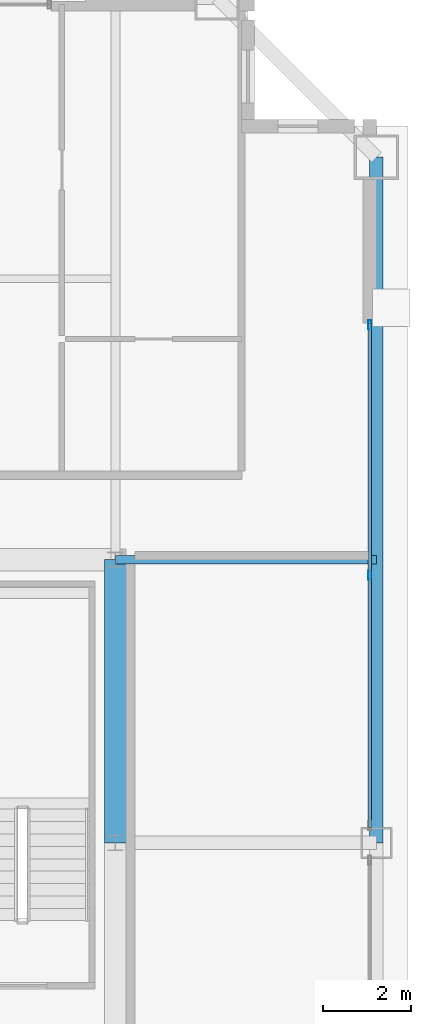
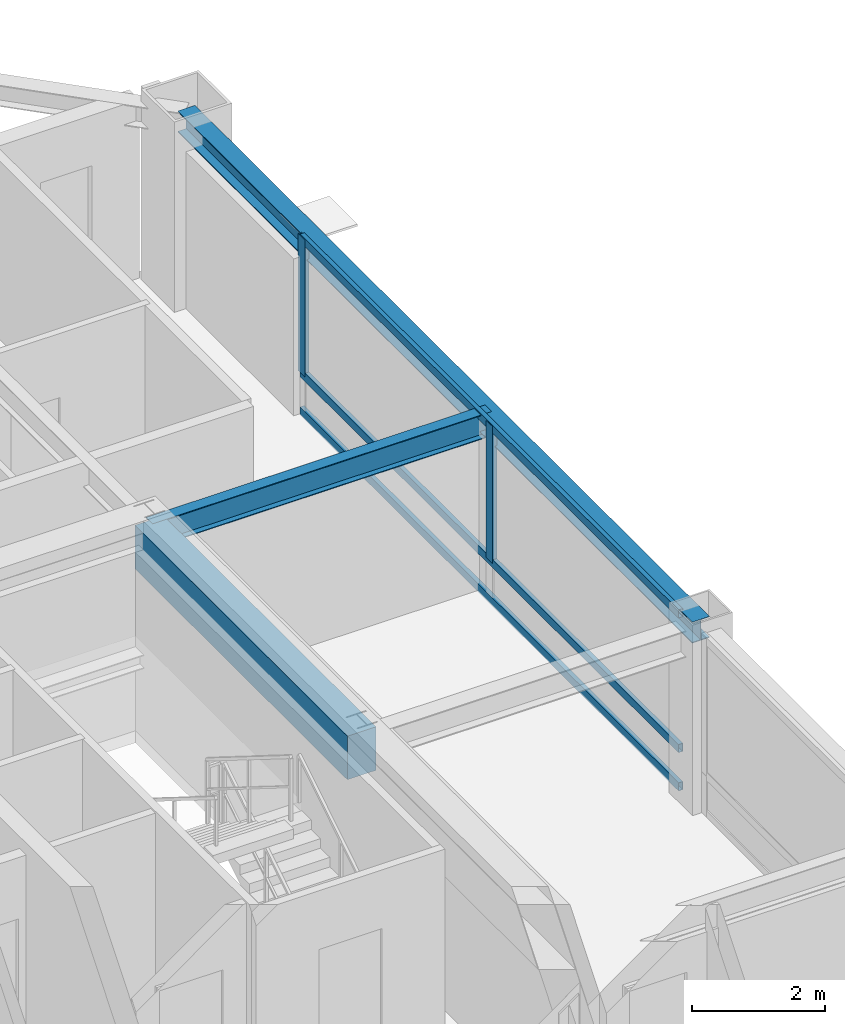
# One storey, part 15 of 35: 5 members, 3 beams, 1 element without a shape of its own.
"""IFC4 building model written with IfcOpenShell, lengths in metres."""

from ifc_helpers import new_model, si_unit, direction, frame, origin, origin_2d, place, context, subcontext, project, spatial, rectangle, hollow_rectangle, i_section, extrude, source, transform, mapped, material, layer, layer_set, material_profile, profile_set, type_object, element, aggregate, save


model = new_model("IFC4")

# Units and contexts
model_context = context("Model", 3, precision=1e-05, world=origin(), true_north=direction((0.0, 1.0)))
body_context = subcontext(model_context, "Body", "Model", "MODEL_VIEW")
ifc_project = project(units=[si_unit("LENGTHUNIT", "METRE"), si_unit("AREAUNIT", "SQUARE_METRE"), si_unit("VOLUMEUNIT", "CUBIC_METRE"), si_unit("PLANEANGLEUNIT", "RADIAN"), si_unit("MASSUNIT", "GRAM", prefix="KILO"), si_unit("THERMODYNAMICTEMPERATUREUNIT", "KELVIN"), si_unit("POWERUNIT", "WATT")], contexts=[model_context])

# Site, building, storey
site_placement = place(None, origin())
site = spatial("IfcSite", under=ifc_project, at=site_placement, CompositionType="ELEMENT")
building_placement = place(site_placement, origin())
building = spatial("IfcBuilding", under=site, at=building_placement, Name="Yuzanri Waterfront Tower", CompositionType="ELEMENT")
storey_placement = place(building_placement, frame((0.0, 0.0, 289.10009765625)))
storey = spatial("IfcBuildingStorey", under=building, at=storey_placement, Name="L77", CompositionType="ELEMENT", Elevation=289.10009765625)

# Beams
ifc_material_1 = material(Name="Concrete C50", Category="concrete")
ifc_material_profile_1 = material_profile(ifc_material_1, rectangle(XDim=0.5, YDim=0.800048828125, at=origin_2d()), Name="RC 500x800")
ifc_profile_set_1 = profile_set([ifc_material_profile_1], Name="Concrete C50")
beam_type_1 = type_object("IfcBeamType", Name="Core Coupling Lintel Concrete C50 500x800", PredefinedType="LINTEL", material=ifc_profile_set_1)
shared_shape_1 = source(origin(), body_context, "Body", "SweptSolid", [
    extrude(rectangle(XDim=0.5, YDim=0.800048828125, at=origin_2d()), origin(), (0.0, 0.0, 1.0), 6.39990234375),
])
beam_1_placement = place(storey_placement, frame((50.199951171875, 25.800048828125, 2.8798828125), z_axis=(0.0, 1.0, 0.0), x_axis=(-1.0, 0.0, 0.0)))
element("IfcBeam", 1, at=beam_1_placement, inside=storey, type_object=beam_type_1, Name="L77 Core Tie Beam CE2", PredefinedType="LINTEL", context=body_context, shape_type="MappedRepresentation", body=[
    mapped(shared_shape_1, transform((0.0, 0.0, 0.0), scale=1.0)),
])
ifc_material_2 = material(Name="Steel Q355B", Category="steel")
ifc_material_profile_2 = material_profile(ifc_material_2, i_section(OverallWidth=0.300048828125, OverallDepth=0.389892578125, WebThickness=0.010009765625, FlangeThickness=0.01611328125, at=origin_2d()), Name="HM 390x300x10x16")
ifc_profile_set_2 = profile_set([ifc_material_profile_2], Name="Steel Q355B")
beam_type_2 = type_object("IfcBeamType", Name="Perimeter Spandrel Q355B HM 390x300", PredefinedType="SPANDREL", material=ifc_profile_set_2)
shared_shape_2 = source(origin(), body_context, "Body", "SweptSolid", [
    extrude(i_section(OverallWidth=0.300048828125, OverallDepth=0.389892578125, WebThickness=0.010009765625, FlangeThickness=0.01611328125, at=origin_2d()), origin(), (0.0, 0.0, 1.0), 15.5),
])
beam_2_placement = place(storey_placement, frame((56.10009765625, 25.800048828125, 3.0849609375), z_axis=(0.0, 1.0, 0.0), x_axis=(-1.0, 0.0, 0.0)))
element("IfcBeam", 2, at=beam_2_placement, inside=storey, type_object=beam_type_2, Name="L77 Perimeter Spandrel E2-E3", PredefinedType="SPANDREL", context=body_context, shape_type="MappedRepresentation", body=[
    mapped(shared_shape_2, transform((0.0, 0.0, 0.0), scale=1.0)),
])
ifc_material_3 = material(Name="Steel Q355B", Category="steel")
ifc_material_profile_3 = material_profile(ifc_material_3, i_section(OverallWidth=0.199951171875, OverallDepth=0.449951171875, WebThickness=0.009033203125, FlangeThickness=0.013916015625, at=origin_2d()), Name="HN 450x200x9x14")
ifc_profile_set_3 = profile_set([ifc_material_profile_3], Name="Steel Q355B")
beam_type_3 = type_object("IfcBeamType", Name="Secondary Floor Beam Q355B HN 450x200", PredefinedType="BEAM", material=ifc_profile_set_3)
shared_shape_3 = source(origin(), body_context, "Body", "SweptSolid", [
    extrude(i_section(OverallWidth=0.199951171875, OverallDepth=0.449951171875, WebThickness=0.009033203125, FlangeThickness=0.013916015625, at=origin_2d()), origin(), (0.0, 0.0, 1.0), 5.900146484375),
])
beam_3_placement = place(storey_placement, frame((50.199951171875, 32.199951171875, 3.054931640625), z_axis=(1.0, 0.0, 0.0), x_axis=(0.0, 1.0, 0.0)))
element("IfcBeam", 3, at=beam_3_placement, inside=storey, type_object=beam_type_3, Name="L77 East-North Core Line Beam", PredefinedType="BEAM", context=body_context, shape_type="MappedRepresentation", body=[
    mapped(shared_shape_3, transform((0.0, 0.0, 0.0), scale=1.0)),
])

# Curtain wall, members
ifc_material_4 = material(Name="Anodized Architectural Bronze", Category="metal")
ifc_layer = layer(ifc_material_4, 0.159912109375)
ifc_layer_set = layer_set([ifc_layer], Name="Anodized Architectural Bronze")
curtain_wall_type = type_object("IfcCurtainWallType", Name="Anodized Bronze High-Rise Penthouse High-Wind Unitized Curtain Wall 6900", PredefinedType="NOTDEFINED", material=ifc_layer_set)
curtain_wall_placement = place(storey_placement, origin())
curtain_wall = element("IfcCurtainWall", 4, at=curtain_wall_placement, inside=storey, type_object=curtain_wall_type, Name="L77 Curtain Wall CW-L77-ER", PredefinedType="NOTDEFINED")
ifc_material_5 = material(Name="Anodized Architectural Bronze", Category="metal")
ifc_material_profile_4 = material_profile(ifc_material_5, hollow_rectangle(XDim=0.074951171875, YDim=0.199951171875, WallThickness=0.00390625, at=origin_2d()), Name="CWM 75x200")
ifc_profile_set_4 = profile_set([ifc_material_profile_4], Name="Anodized Architectural Bronze")
member_type_1 = type_object("IfcMemberType", Name="Anodized Bronze Primary Curtain-Wall Mullion 75x200", PredefinedType="MULLION", material=ifc_profile_set_4)
shared_shape_4 = source(origin(), body_context, "Body", "SweptSolid", [
    extrude(hollow_rectangle(XDim=0.074951171875, YDim=0.199951171875, WallThickness=0.00390625, at=origin_2d()), origin(), (0.0, 0.0, 1.0), 2.52392578125),
])
member_1_placement = place(storey_placement, frame((55.949951171875, 31.85009765625, 0.755859375), z_axis=(0.0, 0.0, 1.0), x_axis=(1.0, 0.0, 0.0)))
member_1 = element("IfcMember", 5, at=member_1_placement, type_object=member_type_1, Name="CW-L77-ER Upper Mullion 01", PredefinedType="MULLION", context=body_context, shape_type="MappedRepresentation", body=[
    mapped(shared_shape_4, transform((0.0, 0.0, 0.0), scale=1.0)),
])
member_2_placement = place(storey_placement, frame((55.949951171875, 37.510009765625, 0.755859375), z_axis=(0.0, 0.0, 1.0), x_axis=(1.0, 0.0, 0.0)))
member_2 = element("IfcMember", 6, at=member_2_placement, type_object=member_type_1, Name="CW-L77-ER Upper Mullion 02", PredefinedType="MULLION", context=body_context, shape_type="MappedRepresentation", body=[
    mapped(shared_shape_4, transform((0.0, 0.0, 0.0), scale=1.0)),
])
ifc_material_6 = material(Name="Anodized Architectural Bronze", Category="metal")
ifc_material_profile_5 = material_profile(ifc_material_6, hollow_rectangle(XDim=0.074951171875, YDim=0.14990234375, WallThickness=0.00390625, at=origin_2d()), Name="CWT 75x150")
ifc_profile_set_5 = profile_set([ifc_material_profile_5], Name="Anodized Architectural Bronze")
member_type_2 = type_object("IfcMemberType", Name="Anodized Bronze Primary Curtain-Wall Transom 75x150", PredefinedType="USERDEFINED", material=ifc_profile_set_5)
shared_shape_5 = source(origin(), body_context, "Body", "SweptSolid", [
    extrude(hollow_rectangle(XDim=0.074951171875, YDim=0.14990234375, WallThickness=0.00390625, at=origin_2d()), origin(), (0.0, 0.0, 1.0), 11.400146484375),
])
member_3_placement = place(storey_placement, frame((55.949951171875, 26.14990234375, 0.0498046875), z_axis=(0.0, 1.0, 0.0), x_axis=(-1.0, 0.0, 0.0)))
member_3 = element("IfcMember", 7, at=member_3_placement, type_object=member_type_2, Name="CW-L77-ER Transom 1", ObjectType="TRANSOM", PredefinedType="USERDEFINED", context=body_context, shape_type="MappedRepresentation", body=[
    mapped(shared_shape_5, transform((0.0, 0.0, 0.0), scale=1.0)),
])
member_4_placement = place(storey_placement, frame((55.949951171875, 26.14990234375, 0.75390625), z_axis=(0.0, 1.0, 0.0), x_axis=(-1.0, 0.0, 0.0)))
member_4 = element("IfcMember", 8, at=member_4_placement, type_object=member_type_2, Name="CW-L77-ER Transom 2", ObjectType="TRANSOM", PredefinedType="USERDEFINED", context=body_context, shape_type="MappedRepresentation", body=[
    mapped(shared_shape_5, transform((0.0, 0.0, 0.0), scale=1.0)),
])
member_5_placement = place(storey_placement, frame((55.949951171875, 26.14990234375, 3.22998046875), z_axis=(0.0, 1.0, 0.0), x_axis=(-1.0, 0.0, 0.0)))
member_5 = element("IfcMember", 9, at=member_5_placement, type_object=member_type_2, Name="CW-L77-ER Transom 3", ObjectType="TRANSOM", PredefinedType="USERDEFINED", context=body_context, shape_type="MappedRepresentation", body=[
    mapped(shared_shape_5, transform((0.0, 0.0, 0.0), scale=1.0)),
])
aggregate(curtain_wall, [member_1, member_2, member_3, member_4, member_5])

save(model, "model.ifc")
